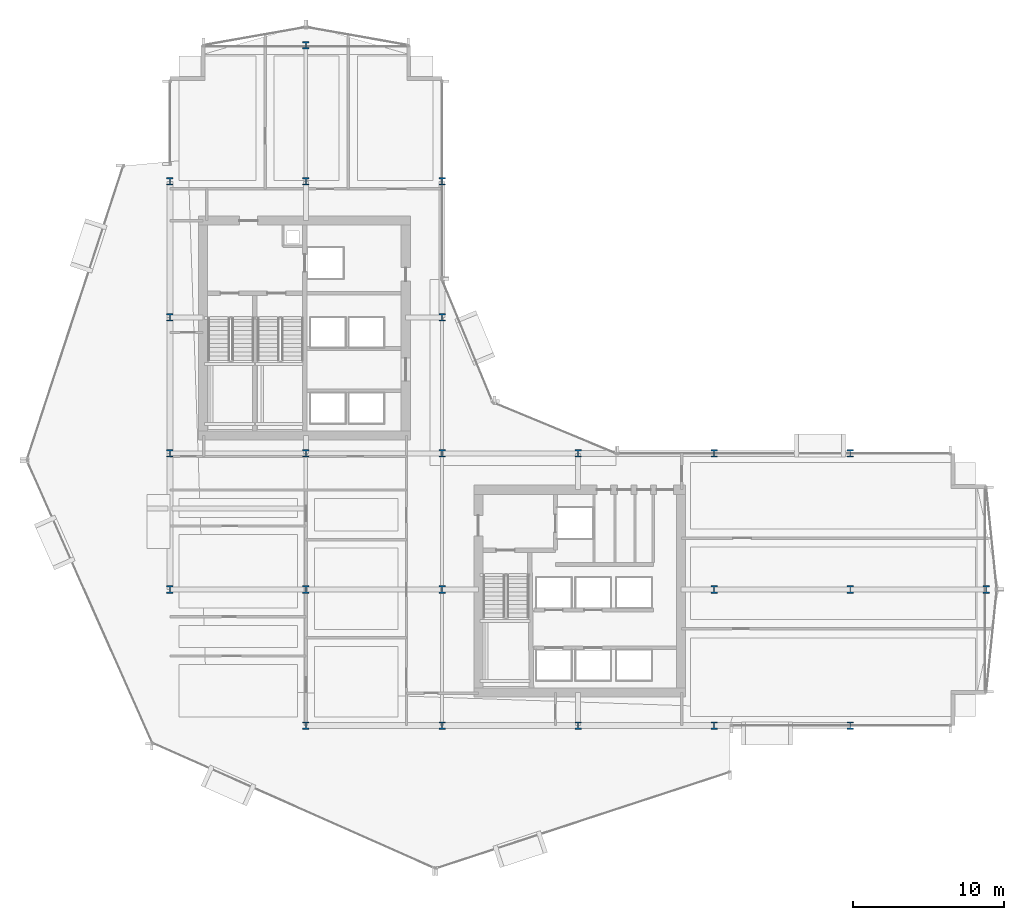
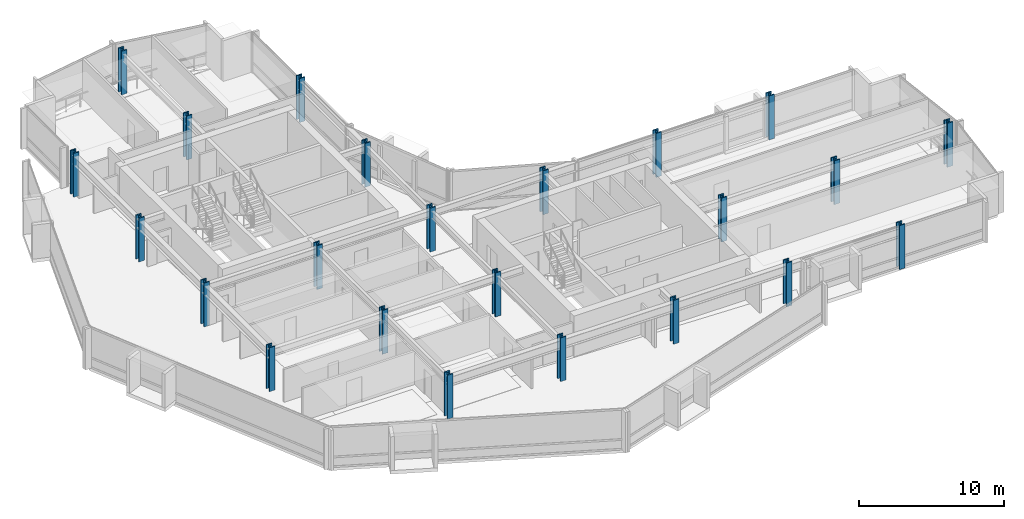
# One storey, part 1 of 34: 23 columns.
"""IFC4 building model written with IfcOpenShell, lengths in metres."""

from ifc_helpers import new_model, si_unit, direction, frame, origin, origin_2d, place, context, subcontext, project, spatial, i_section, extrude, material, material_profile, profile_set, type_object, element, save


model = new_model("IFC4")

# Units and contexts
model_context = context("Model", 3, precision=1e-05, world=origin(), true_north=direction((0.0, 1.0)))
body_context = subcontext(model_context, "Body", "Model", "MODEL_VIEW")
ifc_project = project(units=[si_unit("LENGTHUNIT", "METRE"), si_unit("AREAUNIT", "SQUARE_METRE"), si_unit("VOLUMEUNIT", "CUBIC_METRE"), si_unit("PLANEANGLEUNIT", "RADIAN"), si_unit("MASSUNIT", "GRAM", prefix="KILO")], contexts=[model_context])

# Site, building, storey
site_placement = place(None, origin())
site = spatial("IfcSite", under=ifc_project, at=site_placement, CompositionType="ELEMENT")
building_placement = place(site_placement, origin())
building = spatial("IfcBuilding", under=site, at=building_placement, Name="Solvaryn Broadcast Tower", CompositionType="ELEMENT")
storey_placement = place(building_placement, frame((0.0, 0.0, 39.699951171875)))
storey = spatial("IfcBuildingStorey", under=building, at=storey_placement, Name="L08", CompositionType="ELEMENT", Elevation=39.699951171875)

# Columns
ifc_material_1 = material(Name="Steel ASTM A913 Grade 65", Category="steel")
ifc_material_profile_1 = material_profile(ifc_material_1, i_section(OverallWidth=0.431884765625, OverallDepth=0.498046875, WebThickness=0.0556640625, FlangeThickness=0.0888671875, FilletRadius=0.014892578125, at=origin_2d()))
ifc_profile_set_1 = profile_set([ifc_material_profile_1], Name="Steel ASTM A913 Grade 65")
column_type_1 = type_object("IfcColumnType", Name="COL-C03E-W14X500", PredefinedType="COLUMN", material=ifc_profile_set_1)
for number, where, z_axis, x_axis, name in (
    (1, (9.0, 18.0, 0.0), (0.0, 0.0, 1.0), (1.0, 0.0, 0.0), "L08 Column (9.0, 18.0)"),
    (2, (9.0, 27.0, 0.0), (0.0, 0.0, 1.0), (1.0, 0.0, 0.0), "L08 Column (9.0, 27.0)"),
    (3, (9.0, 36.0, 0.0), (0.0, 0.0, 1.0), (1.0, 0.0, 0.0), "L08 Column (9.0, 36.0)"),
    (4, (9.0, 45.0, 0.0), (0.0, 0.0, 1.0), (1.0, 0.0, 0.0), "L08 Column (9.0, 45.0)"),
    (5, (18.0, 9.0, 0.0), (0.0, 0.0, 1.0), (1.0, 0.0, 0.0), "L08 Column (18.0, 9.0)"),
    (6, (18.0, 54.0, 0.0), (0.0, 0.0, 1.0), (1.0, 0.0, 0.0), "L08 Column (18.0, 54.0)"),
    (7, (27.0, 9.0, 0.0), (0.0, 0.0, 1.0), (1.0, 0.0, 0.0), "L08 Column (27.0, 9.0)"),
    (8, (27.0, 36.0, 0.0), (0.0, 0.0, 1.0), (1.0, 0.0, 0.0), "L08 Column (27.0, 36.0)"),
    (9, (27.0, 45.0, 0.0), (0.0, 0.0, 1.0), (1.0, 0.0, 0.0), "L08 Column (27.0, 45.0)"),
    (10, (36.0, 9.0, 0.0), (0.0, 0.0, 1.0), (1.0, 0.0, 0.0), "L08 Column (36.0, 9.0)"),
    (11, (36.0, 27.0, 0.0), (0.0, 0.0, 1.0), (1.0, 0.0, 0.0), "L08 Column (36.0, 27.0)"),
    (12, (45.0, 9.0, 0.0), (0.0, 0.0, 1.0), (1.0, 0.0, 0.0), "L08 Column (45.0, 9.0)"),
    (13, (45.0, 27.0, 0.0), (0.0, 0.0, 1.0), (1.0, 0.0, 0.0), "L08 Column (45.0, 27.0)"),
    (14, (54.0, 9.0, 0.0), (0.0, 0.0, 1.0), (1.0, 0.0, 0.0), "L08 Column (54.0, 9.0)"),
    (15, (54.0, 27.0, 0.0), (0.0, 0.0, 1.0), (1.0, 0.0, 0.0), "L08 Column (54.0, 27.0)"),
    (16, (63.0, 18.0, 0.0), (0.0, 0.0, 1.0), (1.0, 0.0, 0.0), "L08 Column (63.0, 18.0)"),
):
    element("IfcColumn", number, at=place(storey_placement, frame(where, z_axis=z_axis, x_axis=x_axis)), inside=storey, type_object=column_type_1, Name=name, PredefinedType="COLUMN", context=body_context, shape_type="SweptSolid", body=[
        extrude(i_section(OverallWidth=0.431884765625, OverallDepth=0.498046875, WebThickness=0.0556640625, FlangeThickness=0.0888671875, FilletRadius=0.014892578125, at=origin_2d()), origin(), (0.0, 0.0, 1.0), 3.699951171875),
    ])
ifc_material_2 = material(Name="Steel ASTM A913 Grade 65", Category="steel")
ifc_material_profile_2 = material_profile(ifc_material_2, i_section(OverallWidth=0.431884765625, OverallDepth=0.498046875, WebThickness=0.0556640625, FlangeThickness=0.0888671875, FilletRadius=0.014892578125, at=origin_2d()))
ifc_profile_set_2 = profile_set([ifc_material_profile_2], Name="Steel ASTM A913 Grade 65")
column_type_2 = type_object("IfcColumnType", Name="COL-C03I-W14X500", PredefinedType="COLUMN", material=ifc_profile_set_2)
for number, where, z_axis, x_axis, name in (
    (17, (18.0, 18.0, 0.0), (0.0, 0.0, 1.0), (1.0, 0.0, 0.0), "L08 Column (18.0, 18.0)"),
    (18, (18.0, 27.0, 0.0), (0.0, 0.0, 1.0), (1.0, 0.0, 0.0), "L08 Column (18.0, 27.0)"),
    (19, (18.0, 45.0, 0.0), (0.0, 0.0, 1.0), (1.0, 0.0, 0.0), "L08 Column (18.0, 45.0)"),
    (20, (27.0, 18.0, 0.0), (0.0, 0.0, 1.0), (1.0, 0.0, 0.0), "L08 Column (27.0, 18.0)"),
    (21, (27.0, 27.0, 0.0), (0.0, 0.0, 1.0), (1.0, 0.0, 0.0), "L08 Column (27.0, 27.0)"),
    (22, (45.0, 18.0, 0.0), (0.0, 0.0, 1.0), (1.0, 0.0, 0.0), "L08 Column (45.0, 18.0)"),
    (23, (54.0, 18.0, 0.0), (0.0, 0.0, 1.0), (1.0, 0.0, 0.0), "L08 Column (54.0, 18.0)"),
):
    element("IfcColumn", number, at=place(storey_placement, frame(where, z_axis=z_axis, x_axis=x_axis)), inside=storey, type_object=column_type_2, Name=name, PredefinedType="COLUMN", context=body_context, shape_type="SweptSolid", body=[
        extrude(i_section(OverallWidth=0.431884765625, OverallDepth=0.498046875, WebThickness=0.0556640625, FlangeThickness=0.0888671875, FilletRadius=0.014892578125, at=origin_2d()), origin(), (0.0, 0.0, 1.0), 3.699951171875),
    ])

save(model, "model.ifc")
